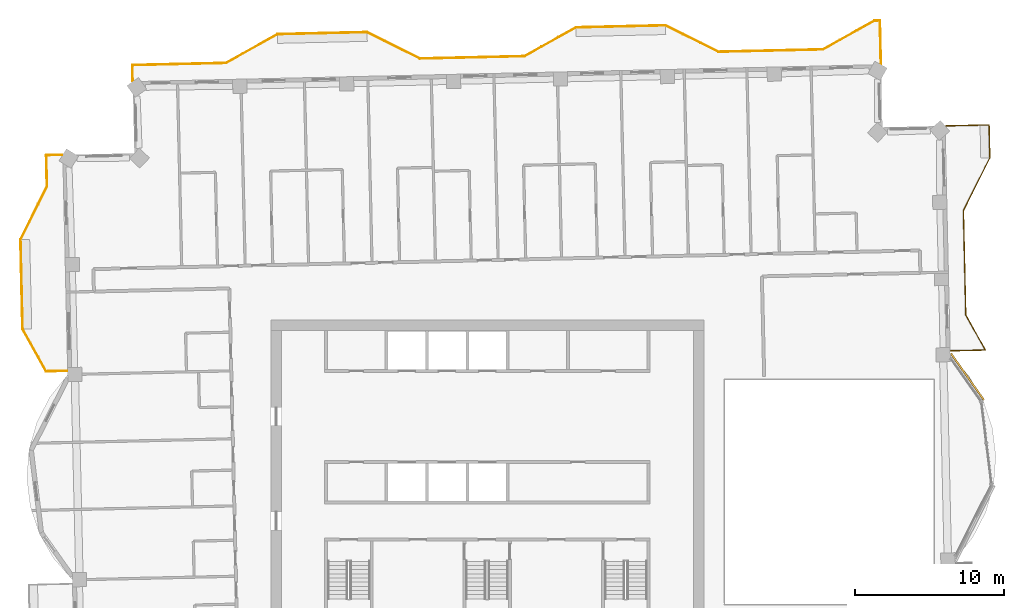
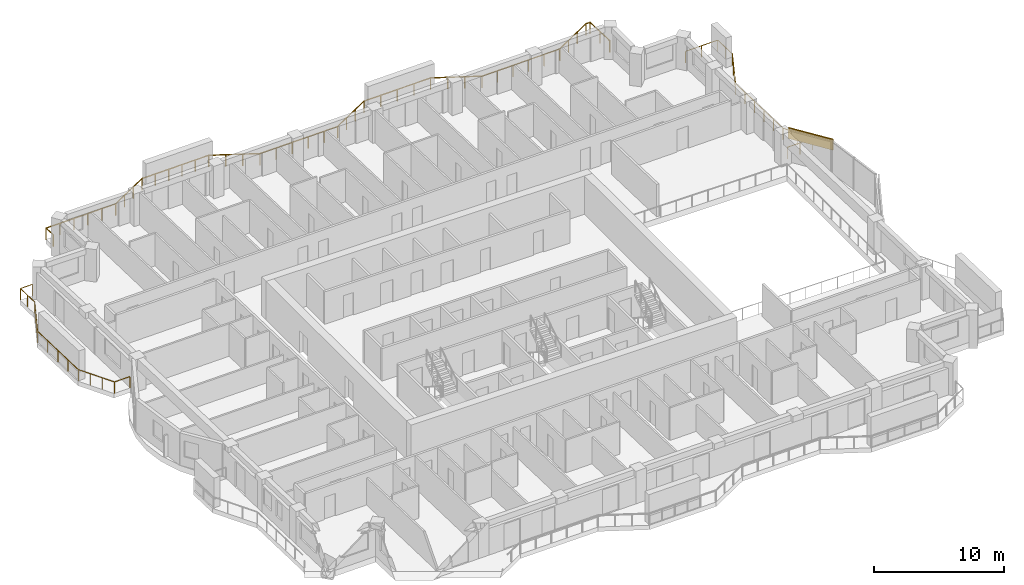
# One storey, part 19 of 19: 3 railings, 1 covering.
"""IFC4 building model written with IfcOpenShell, lengths in metres."""

from ifc_helpers import new_model, si_unit, direction, frame, frame_2d, origin, origin_2d, place, context, subcontext, project, spatial, rectangle, extrude, material, layer, layer_set, type_object, element, save


model = new_model("IFC4")

# Units and contexts
model_context = context("Model", 3, precision=1e-05, world=origin(), true_north=direction((0.0, 1.0)))
body_context = subcontext(model_context, "Body", "Model", "MODEL_VIEW")
ifc_project = project(units=[si_unit("LENGTHUNIT", "METRE"), si_unit("AREAUNIT", "SQUARE_METRE"), si_unit("VOLUMEUNIT", "CUBIC_METRE"), si_unit("PLANEANGLEUNIT", "RADIAN"), si_unit("MASSUNIT", "GRAM", prefix="KILO")], contexts=[model_context])

# Site, building, storey
site_placement = place(None, origin())
site = spatial("IfcSite", under=ifc_project, at=site_placement, CompositionType="ELEMENT")
building_placement = place(site_placement, origin())
building = spatial("IfcBuilding", under=site, at=building_placement, Name="Mangrove Gate Tower", CompositionType="ELEMENT")
storey_placement = place(building_placement, frame((0.0, 0.0, 297.89990234375)))
storey = spatial("IfcBuildingStorey", under=building, at=storey_placement, Name="L76", CompositionType="ELEMENT", Elevation=297.89990234375)

# Railings
ifc_material_1 = material(Name="Stainless steel grade 316 with laminated glass infill", Category="steel")
railing_type = type_object("IfcRailingType", Name="Balcony guard 1100", PredefinedType="GUARDRAIL", material=ifc_material_1)
railing_1_placement = place(storey_placement, frame((31.0390625, 9.445068359375, 0.0)))
element("IfcRailing", 1, at=railing_1_placement, inside=storey, type_object=railing_type, Name="GUARD L76 E2", PredefinedType="GUARDRAIL", context=body_context, shape_type="SweptSolid", body=[
    extrude(rectangle(XDim=0.048095703125, YDim=0.048095703125, at=origin_2d()), frame((0.0, 0.0, 1.076171875), z_axis=(0.999738009607, 0.022889127251, 0.0), x_axis=(-0.022889127251, 0.999738009607, 0.0)), (0.0, 0.0, 1.0), 2.314453125),
    extrude(rectangle(XDim=0.048095703125, YDim=0.048095703125, at=origin_2d()), frame((2.31396484375, 0.052978515625, 1.076171875), z_axis=(-0.487163004485, 0.873311059738, 0.0), x_axis=(-0.873311059738, -0.487163004485, 0.0)), (0.0, 0.0, 1.0), 2.68505859375),
    extrude(rectangle(XDim=0.048095703125, YDim=0.048095703125, at=origin_2d()), frame((1.005859375, 2.39794921875, 1.076171875), z_axis=(-0.022705559911, 0.999742195543, 0.0), x_axis=(-0.999742195543, -0.022705559911, 0.0)), (0.0, 0.0, 1.0), 6.999755859375),
    extrude(rectangle(XDim=0.048095703125, YDim=0.048095703125, at=origin_2d()), frame((0.846923828125, 9.39599609375, 1.076171875), z_axis=(0.447016280881, 0.894525821107, 0.0), x_axis=(-0.894525821107, 0.447016280881, 0.0)), (0.0, 0.0, 1.0), 3.959716796875),
    extrude(rectangle(XDim=0.048095703125, YDim=0.048095703125, at=origin_2d()), frame((2.616943359375, 12.93798828125, 1.076171875), z_axis=(-0.022754182687, 0.999741090068, 0.0), x_axis=(-0.999741090068, -0.022754182687, 0.0)), (0.0, 0.0, 1.0), 2.199462890625),
    extrude(rectangle(XDim=0.048095703125, YDim=0.048095703125, at=origin_2d()), frame((2.56689453125, 15.136962890625, 1.076171875), z_axis=(-0.999743349437, -0.022654696127, 0.0), x_axis=(0.022654696127, -0.999743349437, 0.0)), (0.0, 0.0, 1.0), 2.90966796875),
    extrude(rectangle(XDim=0.0419921875, YDim=0.0419921875, at=origin_2d()), origin(), (0.0, 0.0, 1.0), 1.052001953125),
    extrude(rectangle(XDim=0.0419921875, YDim=0.0419921875, at=origin_2d()), frame((1.156982421875, 0.0263671875, 0.0)), (0.0, 0.0, 1.0), 1.052001953125),
    extrude(rectangle(XDim=0.0419921875, YDim=0.0419921875, at=origin_2d()), frame((2.31396484375, 0.052978515625, 0.0)), (0.0, 0.0, 1.0), 1.052001953125),
    extrude(rectangle(XDim=0.0419921875, YDim=0.0419921875, at=origin_2d()), frame((1.659912109375, 1.2255859375, 0.0)), (0.0, 0.0, 1.0), 1.052001953125),
    extrude(rectangle(XDim=0.0419921875, YDim=0.0419921875, at=origin_2d()), frame((1.005859375, 2.39794921875, 0.0)), (0.0, 0.0, 1.0), 1.052001953125),
    extrude(rectangle(XDim=0.0419921875, YDim=0.0419921875, at=origin_2d()), frame((0.97412109375, 3.797607421875, 0.0)), (0.0, 0.0, 1.0), 1.052001953125),
    extrude(rectangle(XDim=0.0419921875, YDim=0.0419921875, at=origin_2d()), frame((0.9423828125, 5.197265625, 0.0)), (0.0, 0.0, 1.0), 1.052001953125),
    extrude(rectangle(XDim=0.0419921875, YDim=0.0419921875, at=origin_2d()), frame((0.910400390625, 6.5966796875, 0.0)), (0.0, 0.0, 1.0), 1.052001953125),
    extrude(rectangle(XDim=0.0419921875, YDim=0.0419921875, at=origin_2d()), frame((0.878662109375, 7.996337890625, 0.0)), (0.0, 0.0, 1.0), 1.052001953125),
    extrude(rectangle(XDim=0.0419921875, YDim=0.0419921875, at=origin_2d()), frame((0.846923828125, 9.39599609375, 0.0)), (0.0, 0.0, 1.0), 1.052001953125),
    extrude(rectangle(XDim=0.0419921875, YDim=0.0419921875, at=origin_2d()), frame((1.43701171875, 10.57666015625, 0.0)), (0.0, 0.0, 1.0), 1.052001953125),
    extrude(rectangle(XDim=0.0419921875, YDim=0.0419921875, at=origin_2d()), frame((2.02685546875, 11.75732421875, 0.0)), (0.0, 0.0, 1.0), 1.052001953125),
    extrude(rectangle(XDim=0.0419921875, YDim=0.0419921875, at=origin_2d()), frame((2.616943359375, 12.93798828125, 0.0)), (0.0, 0.0, 1.0), 1.052001953125),
    extrude(rectangle(XDim=0.0419921875, YDim=0.0419921875, at=origin_2d()), frame((2.591796875, 14.03759765625, 0.0)), (0.0, 0.0, 1.0), 1.052001953125),
    extrude(rectangle(XDim=0.0419921875, YDim=0.0419921875, at=origin_2d()), frame((2.56689453125, 15.136962890625, 0.0)), (0.0, 0.0, 1.0), 1.052001953125),
    extrude(rectangle(XDim=0.0419921875, YDim=0.0419921875, at=origin_2d()), frame((1.1123046875, 15.10400390625, 0.0)), (0.0, 0.0, 1.0), 1.052001953125),
    extrude(rectangle(XDim=0.0419921875, YDim=0.0419921875, at=origin_2d()), frame((-0.342041015625, 15.071044921875, 0.0)), (0.0, 0.0, 1.0), 1.052001953125),
])
railing_2_placement = place(storey_placement, frame((26.362060546875, 28.658935546875, 0.0)))
element("IfcRailing", 2, at=railing_2_placement, inside=storey, type_object=railing_type, Name="GUARD L76 N1", PredefinedType="GUARDRAIL", context=body_context, shape_type="SweptSolid", body=[
    extrude(rectangle(XDim=0.048095703125, YDim=0.048095703125, at=origin_2d()), frame((0.0, 0.0, 1.076171875), z_axis=(-0.022736651854, 0.999741488917, 0.0), x_axis=(-0.999741488917, -0.022736651854, 0.0)), (0.0, 0.0, 1.0), 2.909912109375),
    extrude(rectangle(XDim=0.048095703125, YDim=0.048095703125, at=origin_2d()), frame((-0.066162109375, 2.9091796875, 1.076171875), z_axis=(-0.999760329145, -0.021892561952, 0.0), x_axis=(0.021892561952, -0.999760329145, 0.0)), (0.0, 0.0, 1.0), 0.367919921875),
    extrude(rectangle(XDim=0.048095703125, YDim=0.048095703125, at=origin_2d()), frame((-0.43408203125, 2.901123046875, 1.076171875), z_axis=(-0.87325689943, -0.48726008209, 0.0), x_axis=(0.48726008209, -0.87325689943, 0.0)), (0.0, 0.0, 1.0), 3.958740234375),
    extrude(rectangle(XDim=0.048095703125, YDim=0.048095703125, at=origin_2d()), frame((-3.89111328125, 0.97216796875, 1.076171875), z_axis=(-0.999741475346, -0.022737248567, 0.0), x_axis=(0.022737248567, -0.999741475346, 0.0)), (0.0, 0.0, 1.0), 7.000732421875),
    extrude(rectangle(XDim=0.048095703125, YDim=0.048095703125, at=origin_2d()), frame((-10.89013671875, 0.81298828125, 1.076171875), z_axis=(-0.894476522376, 0.447114919141, 0.0), x_axis=(-0.447114919141, -0.894476522376, 0.0)), (0.0, 0.0, 1.0), 3.958740234375),
    extrude(rectangle(XDim=0.048095703125, YDim=0.048095703125, at=origin_2d()), frame((-14.43115234375, 2.5830078125, 1.076171875), z_axis=(-0.999743073592, -0.022666865795, 0.0), x_axis=(0.022666865795, -0.999743073592, 0.0)), (0.0, 0.0, 1.0), 5.999267578125),
    extrude(rectangle(XDim=0.048095703125, YDim=0.048095703125, at=origin_2d()), frame((-20.428955078125, 2.447021484375, 1.076171875), z_axis=(-0.87325689943, -0.48726008209, 0.0), x_axis=(0.48726008209, -0.87325689943, 0.0)), (0.0, 0.0, 1.0), 3.958740234375),
    extrude(rectangle(XDim=0.048095703125, YDim=0.048095703125, at=origin_2d()), frame((-23.885986328125, 0.51806640625, 1.076171875), z_axis=(-0.999745184295, -0.022573579222, 0.0), x_axis=(0.022573579222, -0.999745184295, 0.0)), (0.0, 0.0, 1.0), 1.200439453125),
    extrude(rectangle(XDim=0.048095703125, YDim=0.048095703125, at=origin_2d()), frame((-25.086181640625, 0.490966796875, 1.076171875), z_axis=(-0.999741574676, -0.022732880677, 0.0), x_axis=(0.022732880677, -0.999741574676, 0.0)), (0.0, 0.0, 1.0), 5.79931640625),
    extrude(rectangle(XDim=0.048095703125, YDim=0.048095703125, at=origin_2d()), frame((-30.884033203125, 0.359130859375, 1.076171875), z_axis=(-0.894476522376, 0.447114919141, 0.0), x_axis=(-0.447114919141, -0.894476522376, 0.0)), (0.0, 0.0, 1.0), 3.958740234375),
    extrude(rectangle(XDim=0.048095703125, YDim=0.048095703125, at=origin_2d()), frame((-34.425048828125, 2.129150390625, 1.076171875), z_axis=(-0.999743178102, -0.022662255828, 0.0), x_axis=(0.022662255828, -0.999743178102, 0.0)), (0.0, 0.0, 1.0), 6.00048828125),
    extrude(rectangle(XDim=0.048095703125, YDim=0.048095703125, at=origin_2d()), frame((-40.424072265625, 1.9931640625, 1.076171875), z_axis=(-0.873230657876, -0.487307108654, 0.0), x_axis=(0.487307108654, -0.873230657876, 0.0)), (0.0, 0.0, 1.0), 3.958984375),
    extrude(rectangle(XDim=0.048095703125, YDim=0.048095703125, at=origin_2d()), frame((-43.881103515625, 0.06396484375, 1.076171875), z_axis=(-0.999743862687, -0.022632035232, 0.0), x_axis=(0.022632035232, -0.999743862687, 0.0)), (0.0, 0.0, 1.0), 6.267578125),
    extrude(rectangle(XDim=0.048095703125, YDim=0.048095703125, at=origin_2d()), frame((-50.14697265625, -0.077880859375, 1.076171875), z_axis=(0.021643938231, -0.999765742531, 0.0), x_axis=(0.999765742531, 0.021643938231, 0.0)), (0.0, 0.0, 1.0), 1.060302734375),
    extrude(rectangle(XDim=0.0419921875, YDim=0.0419921875, at=origin_2d()), origin(), (0.0, 0.0, 1.0), 1.052001953125),
    extrude(rectangle(XDim=0.0419921875, YDim=0.0419921875, at=origin_2d()), frame((-0.033203125, 1.45458984375, 0.0)), (0.0, 0.0, 1.0), 1.052001953125),
    extrude(rectangle(XDim=0.0419921875, YDim=0.0419921875, at=origin_2d()), frame((-0.066162109375, 2.9091796875, 0.0)), (0.0, 0.0, 1.0), 1.052001953125),
    extrude(rectangle(XDim=0.0419921875, YDim=0.0419921875, at=origin_2d()), frame((-0.43408203125, 2.901123046875, 0.0)), (0.0, 0.0, 1.0), 1.052001953125),
    extrude(rectangle(XDim=0.0419921875, YDim=0.0419921875, at=origin_2d()), frame((-1.58642578125, 2.258056640625, 0.0)), (0.0, 0.0, 1.0), 1.052001953125),
    extrude(rectangle(XDim=0.0419921875, YDim=0.0419921875, at=origin_2d()), frame((-2.73876953125, 1.615234375, 0.0)), (0.0, 0.0, 1.0), 1.052001953125),
    extrude(rectangle(XDim=0.0419921875, YDim=0.0419921875, at=origin_2d()), frame((-3.89111328125, 0.97216796875, 0.0)), (0.0, 0.0, 1.0), 1.052001953125),
    extrude(rectangle(XDim=0.0419921875, YDim=0.0419921875, at=origin_2d()), frame((-5.291015625, 0.9404296875, 0.0)), (0.0, 0.0, 1.0), 1.052001953125),
    extrude(rectangle(XDim=0.0419921875, YDim=0.0419921875, at=origin_2d()), frame((-6.690673828125, 0.908447265625, 0.0)), (0.0, 0.0, 1.0), 1.052001953125),
    extrude(rectangle(XDim=0.0419921875, YDim=0.0419921875, at=origin_2d()), frame((-8.090576171875, 0.876708984375, 0.0)), (0.0, 0.0, 1.0), 1.052001953125),
    extrude(rectangle(XDim=0.0419921875, YDim=0.0419921875, at=origin_2d()), frame((-9.490234375, 0.8447265625, 0.0)), (0.0, 0.0, 1.0), 1.052001953125),
    extrude(rectangle(XDim=0.0419921875, YDim=0.0419921875, at=origin_2d()), frame((-10.89013671875, 0.81298828125, 0.0)), (0.0, 0.0, 1.0), 1.052001953125),
    extrude(rectangle(XDim=0.0419921875, YDim=0.0419921875, at=origin_2d()), frame((-12.070556640625, 1.403076171875, 0.0)), (0.0, 0.0, 1.0), 1.052001953125),
    extrude(rectangle(XDim=0.0419921875, YDim=0.0419921875, at=origin_2d()), frame((-13.250732421875, 1.992919921875, 0.0)), (0.0, 0.0, 1.0), 1.052001953125),
    extrude(rectangle(XDim=0.0419921875, YDim=0.0419921875, at=origin_2d()), frame((-14.43115234375, 2.5830078125, 0.0)), (0.0, 0.0, 1.0), 1.052001953125),
    extrude(rectangle(XDim=0.0419921875, YDim=0.0419921875, at=origin_2d()), frame((-15.9306640625, 2.549072265625, 0.0)), (0.0, 0.0, 1.0), 1.052001953125),
    extrude(rectangle(XDim=0.0419921875, YDim=0.0419921875, at=origin_2d()), frame((-17.43017578125, 2.51513671875, 0.0)), (0.0, 0.0, 1.0), 1.052001953125),
    extrude(rectangle(XDim=0.0419921875, YDim=0.0419921875, at=origin_2d()), frame((-18.929443359375, 2.48095703125, 0.0)), (0.0, 0.0, 1.0), 1.052001953125),
    extrude(rectangle(XDim=0.0419921875, YDim=0.0419921875, at=origin_2d()), frame((-20.428955078125, 2.447021484375, 0.0)), (0.0, 0.0, 1.0), 1.052001953125),
    extrude(rectangle(XDim=0.0419921875, YDim=0.0419921875, at=origin_2d()), frame((-21.581298828125, 1.803955078125, 0.0)), (0.0, 0.0, 1.0), 1.052001953125),
    extrude(rectangle(XDim=0.0419921875, YDim=0.0419921875, at=origin_2d()), frame((-22.733642578125, 1.1611328125, 0.0)), (0.0, 0.0, 1.0), 1.052001953125),
    extrude(rectangle(XDim=0.0419921875, YDim=0.0419921875, at=origin_2d()), frame((-23.885986328125, 0.51806640625, 0.0)), (0.0, 0.0, 1.0), 1.052001953125),
    extrude(rectangle(XDim=0.0419921875, YDim=0.0419921875, at=origin_2d()), frame((-25.086181640625, 0.490966796875, 0.0)), (0.0, 0.0, 1.0), 1.052001953125),
    extrude(rectangle(XDim=0.0419921875, YDim=0.0419921875, at=origin_2d()), frame((-26.53564453125, 0.4580078125, 0.0)), (0.0, 0.0, 1.0), 1.052001953125),
    extrude(rectangle(XDim=0.0419921875, YDim=0.0419921875, at=origin_2d()), frame((-27.985107421875, 0.425048828125, 0.0)), (0.0, 0.0, 1.0), 1.052001953125),
    extrude(rectangle(XDim=0.0419921875, YDim=0.0419921875, at=origin_2d()), frame((-29.4345703125, 0.39208984375, 0.0)), (0.0, 0.0, 1.0), 1.052001953125),
    extrude(rectangle(XDim=0.0419921875, YDim=0.0419921875, at=origin_2d()), frame((-30.884033203125, 0.359130859375, 0.0)), (0.0, 0.0, 1.0), 1.052001953125),
    extrude(rectangle(XDim=0.0419921875, YDim=0.0419921875, at=origin_2d()), frame((-32.064453125, 0.94921875, 0.0)), (0.0, 0.0, 1.0), 1.052001953125),
    extrude(rectangle(XDim=0.0419921875, YDim=0.0419921875, at=origin_2d()), frame((-33.24462890625, 1.5390625, 0.0)), (0.0, 0.0, 1.0), 1.052001953125),
    extrude(rectangle(XDim=0.0419921875, YDim=0.0419921875, at=origin_2d()), frame((-34.425048828125, 2.129150390625, 0.0)), (0.0, 0.0, 1.0), 1.052001953125),
    extrude(rectangle(XDim=0.0419921875, YDim=0.0419921875, at=origin_2d()), frame((-35.624755859375, 2.10205078125, 0.0)), (0.0, 0.0, 1.0), 1.052001953125),
    extrude(rectangle(XDim=0.0419921875, YDim=0.0419921875, at=origin_2d()), frame((-36.82470703125, 2.07470703125, 0.0)), (0.0, 0.0, 1.0), 1.052001953125),
    extrude(rectangle(XDim=0.0419921875, YDim=0.0419921875, at=origin_2d()), frame((-38.0244140625, 2.047607421875, 0.0)), (0.0, 0.0, 1.0), 1.052001953125),
    extrude(rectangle(XDim=0.0419921875, YDim=0.0419921875, at=origin_2d()), frame((-39.224365234375, 2.020263671875, 0.0)), (0.0, 0.0, 1.0), 1.052001953125),
    extrude(rectangle(XDim=0.0419921875, YDim=0.0419921875, at=origin_2d()), frame((-40.424072265625, 1.9931640625, 0.0)), (0.0, 0.0, 1.0), 1.052001953125),
    extrude(rectangle(XDim=0.0419921875, YDim=0.0419921875, at=origin_2d()), frame((-41.576416015625, 1.35009765625, 0.0)), (0.0, 0.0, 1.0), 1.052001953125),
    extrude(rectangle(XDim=0.0419921875, YDim=0.0419921875, at=origin_2d()), frame((-42.728759765625, 0.70703125, 0.0)), (0.0, 0.0, 1.0), 1.052001953125),
    extrude(rectangle(XDim=0.0419921875, YDim=0.0419921875, at=origin_2d()), frame((-43.881103515625, 0.06396484375, 0.0)), (0.0, 0.0, 1.0), 1.052001953125),
    extrude(rectangle(XDim=0.0419921875, YDim=0.0419921875, at=origin_2d()), frame((-45.13427734375, 0.03564453125, 0.0)), (0.0, 0.0, 1.0), 1.052001953125),
    extrude(rectangle(XDim=0.0419921875, YDim=0.0419921875, at=origin_2d()), frame((-46.387451171875, 0.00732421875, 0.0)), (0.0, 0.0, 1.0), 1.052001953125),
    extrude(rectangle(XDim=0.0419921875, YDim=0.0419921875, at=origin_2d()), frame((-47.640625, -0.021240234375, 0.0)), (0.0, 0.0, 1.0), 1.052001953125),
    extrude(rectangle(XDim=0.0419921875, YDim=0.0419921875, at=origin_2d()), frame((-48.893798828125, -0.049560546875, 0.0)), (0.0, 0.0, 1.0), 1.052001953125),
    extrude(rectangle(XDim=0.0419921875, YDim=0.0419921875, at=origin_2d()), frame((-50.14697265625, -0.077880859375, 0.0)), (0.0, 0.0, 1.0), 1.052001953125),
    extrude(rectangle(XDim=0.0419921875, YDim=0.0419921875, at=origin_2d()), frame((-50.1240234375, -1.137939453125, 0.0)), (0.0, 0.0, 1.0), 1.052001953125),
])
railing_3_placement = place(storey_placement, frame((-28.489990234375, 22.572998046875, 0.0)))
element("IfcRailing", 3, at=railing_3_placement, inside=storey, type_object=railing_type, Name="GUARD L76 W1", PredefinedType="GUARDRAIL", context=body_context, shape_type="SweptSolid", body=[
    extrude(rectangle(XDim=0.048095703125, YDim=0.048095703125, at=origin_2d()), frame((0.0, 0.0, 1.076171875), z_axis=(-0.999745389313, -0.022564497502, 0.0), x_axis=(0.022564497502, -0.999745389313, 0.0)), (0.0, 0.0, 1.0), 1.060302734375),
    extrude(rectangle(XDim=0.048095703125, YDim=0.048095703125, at=origin_2d()), frame((-1.06005859375, -0.02392578125, 1.076171875), z_axis=(0.022895647347, -0.999737860308, 0.0), x_axis=(0.999737860308, 0.022895647347, 0.0)), (0.0, 0.0, 1.0), 2.1005859375),
    extrude(rectangle(XDim=0.048095703125, YDim=0.048095703125, at=origin_2d()), frame((-1.011962890625, -2.1240234375, 1.076171875), z_axis=(-0.447312255532, -0.894377854182, 0.0), x_axis=(0.894377854182, -0.447312255532, 0.0)), (0.0, 0.0, 1.0), 3.959228515625),
    extrude(rectangle(XDim=0.048095703125, YDim=0.048095703125, at=origin_2d()), frame((-2.782958984375, -5.6650390625, 1.076171875), z_axis=(0.022828630714, -0.999739392852, 0.0), x_axis=(0.999739392852, 0.022828630714, 0.0)), (0.0, 0.0, 1.0), 5.99951171875),
    extrude(rectangle(XDim=0.048095703125, YDim=0.048095703125, at=origin_2d()), frame((-2.64599609375, -11.6630859375, 1.076171875), z_axis=(0.487121176966, -0.873334391256, 0.0), x_axis=(0.873334391256, 0.487121176966, 0.0)), (0.0, 0.0, 1.0), 3.251708984375),
    extrude(rectangle(XDim=0.048095703125, YDim=0.048095703125, at=origin_2d()), frame((-1.06201171875, -14.5029296875, 1.076171875), z_axis=(0.999735358589, 0.023004625325, 0.0), x_axis=(-0.023004625325, 0.999735358589, 0.0)), (0.0, 0.0, 1.0), 1.390380859375),
    extrude(rectangle(XDim=0.0419921875, YDim=0.0419921875, at=origin_2d()), origin(), (0.0, 0.0, 1.0), 1.052001953125),
    extrude(rectangle(XDim=0.0419921875, YDim=0.0419921875, at=origin_2d()), frame((-1.06005859375, -0.02392578125, 0.0)), (0.0, 0.0, 1.0), 1.052001953125),
    extrude(rectangle(XDim=0.0419921875, YDim=0.0419921875, at=origin_2d()), frame((-1.0361328125, -1.073974609375, 0.0)), (0.0, 0.0, 1.0), 1.052001953125),
    extrude(rectangle(XDim=0.0419921875, YDim=0.0419921875, at=origin_2d()), frame((-1.011962890625, -2.1240234375, 0.0)), (0.0, 0.0, 1.0), 1.052001953125),
    extrude(rectangle(XDim=0.0419921875, YDim=0.0419921875, at=origin_2d()), frame((-1.602294921875, -3.304443359375, 0.0)), (0.0, 0.0, 1.0), 1.052001953125),
    extrude(rectangle(XDim=0.0419921875, YDim=0.0419921875, at=origin_2d()), frame((-2.192626953125, -4.484619140625, 0.0)), (0.0, 0.0, 1.0), 1.052001953125),
    extrude(rectangle(XDim=0.0419921875, YDim=0.0419921875, at=origin_2d()), frame((-2.782958984375, -5.6650390625, 0.0)), (0.0, 0.0, 1.0), 1.052001953125),
    extrude(rectangle(XDim=0.0419921875, YDim=0.0419921875, at=origin_2d()), frame((-2.748779296875, -7.16455078125, 0.0)), (0.0, 0.0, 1.0), 1.052001953125),
    extrude(rectangle(XDim=0.0419921875, YDim=0.0419921875, at=origin_2d()), frame((-2.71435546875, -8.6640625, 0.0)), (0.0, 0.0, 1.0), 1.052001953125),
    extrude(rectangle(XDim=0.0419921875, YDim=0.0419921875, at=origin_2d()), frame((-2.68017578125, -10.16357421875, 0.0)), (0.0, 0.0, 1.0), 1.052001953125),
    extrude(rectangle(XDim=0.0419921875, YDim=0.0419921875, at=origin_2d()), frame((-2.64599609375, -11.6630859375, 0.0)), (0.0, 0.0, 1.0), 1.052001953125),
    extrude(rectangle(XDim=0.0419921875, YDim=0.0419921875, at=origin_2d()), frame((-2.117919921875, -12.609619140625, 0.0)), (0.0, 0.0, 1.0), 1.052001953125),
    extrude(rectangle(XDim=0.0419921875, YDim=0.0419921875, at=origin_2d()), frame((-1.590087890625, -13.556396484375, 0.0)), (0.0, 0.0, 1.0), 1.052001953125),
    extrude(rectangle(XDim=0.0419921875, YDim=0.0419921875, at=origin_2d()), frame((-1.06201171875, -14.5029296875, 0.0)), (0.0, 0.0, 1.0), 1.052001953125),
    extrude(rectangle(XDim=0.0419921875, YDim=0.0419921875, at=origin_2d()), frame((0.327880859375, -14.470947265625, 0.0)), (0.0, 0.0, 1.0), 1.052001953125),
])

# Covering
ifc_material_2 = material(Name="Limestone", Category="masonry")
ifc_layer_1 = layer(ifc_material_2, 0.0400390625, Name="Limestone cladding")
ifc_material_3 = material(Name="Stainless steel anchors and cavity", Category="steel")
ifc_layer_2 = layer(ifc_material_3, 0.080078125, Name="Fixing cavity")
ifc_layer_set = layer_set([ifc_layer_1, ifc_layer_2], Name="Joint fascia cladding 120")
covering_type = type_object("IfcCoveringType", Name="Joint fascia cladding 120", PredefinedType="CLADDING", material=ifc_layer_set)
covering_placement = place(storey_placement, frame((33.25390625, 6.158935546875, 2.050048828125), z_axis=(0.0, 0.0, 1.0), x_axis=(-0.578168098379, 0.815917673553, 0.0)))
element("IfcCovering", 4, at=covering_placement, inside=storey, type_object=covering_type, Name="STONE FASCIA L76 E1.L2", PredefinedType="CLADDING", context=body_context, shape_type="SweptSolid", body=[
    extrude(rectangle(XDim=3.819091796875, YDim=0.1201171875, at=frame_2d((1.90966796875, 0.0))), origin(), (0.0, 0.0, 1.0), 1.0),
])

save(model, "model.ifc")
